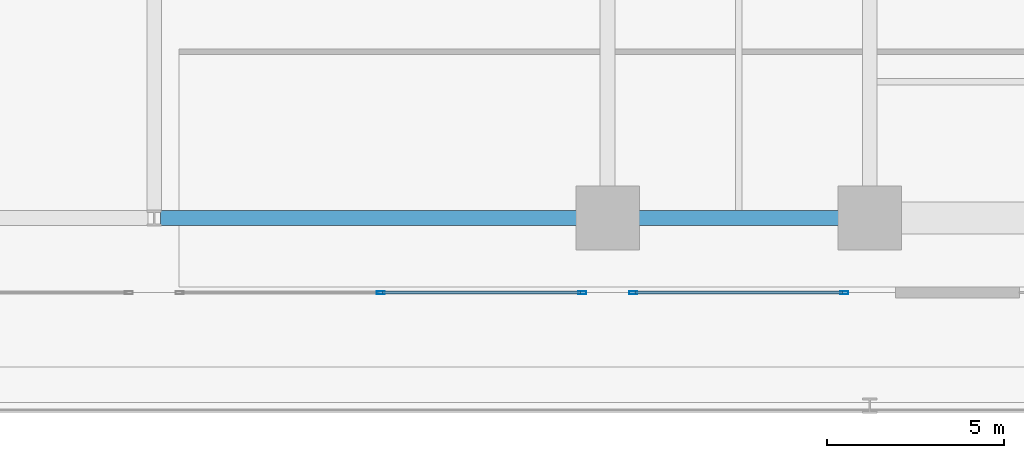
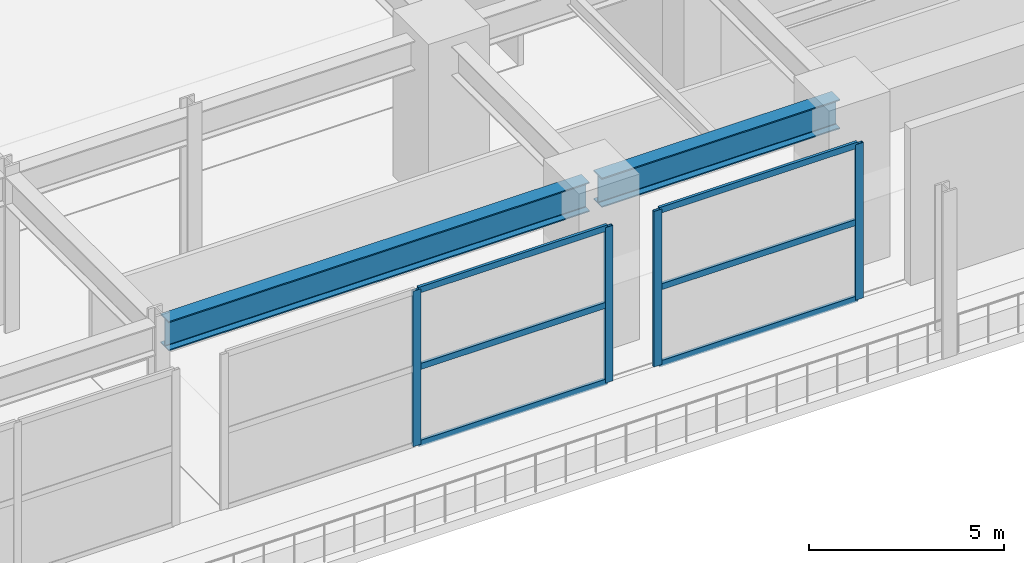
# One storey, part 5 of 35: 10 members, 2 beams, 2 elements without a shape of their own.
"""IFC4 building model written with IfcOpenShell, lengths in metres."""

from ifc_helpers import new_model, si_unit, direction, frame, origin, origin_2d, place, context, subcontext, project, spatial, hollow_rectangle, i_section, extrude, material, material_profile, profile_set, type_object, element, aggregate, save


model = new_model("IFC4")

# Units and contexts
model_context = context("Model", 3, precision=1e-05, world=origin(), true_north=direction((0.0, 1.0)))
body_context = subcontext(model_context, "Body", "Model", "MODEL_VIEW")
ifc_project = project(units=[si_unit("LENGTHUNIT", "METRE"), si_unit("AREAUNIT", "SQUARE_METRE"), si_unit("VOLUMEUNIT", "CUBIC_METRE"), si_unit("PLANEANGLEUNIT", "RADIAN"), si_unit("MASSUNIT", "GRAM", prefix="KILO")], contexts=[model_context])

# Site, building, storey
site_placement = place(None, origin())
site = spatial("IfcSite", under=ifc_project, at=site_placement, CompositionType="ELEMENT")
building_placement = place(site_placement, origin())
building = spatial("IfcBuilding", under=site, at=building_placement, Name="Kovane Verandah Tower", CompositionType="ELEMENT")
storey_placement = place(building_placement, frame((0.0, 0.0, 16.39990234375)))
storey = spatial("IfcBuildingStorey", under=building, at=storey_placement, Name="L03", CompositionType="ELEMENT", Elevation=16.39990234375)

# Beams
ifc_material_1 = material(Name="Steel S460", Category="steel")
ifc_material_profile_1 = material_profile(ifc_material_1, i_section(OverallWidth=0.42041015625, OverallDepth=0.9208984375, WebThickness=0.021484375, FlangeThickness=0.03662109375, FilletRadius=0.024169921875, at=origin_2d()), Name="UB914x419x388")
ifc_profile_set_1 = profile_set([ifc_material_profile_1], Name="Steel S460")
beam_type = type_object("IfcBeamType", Name="BM-UB914x388", PredefinedType="BEAM", material=ifc_profile_set_1)
beam_1_placement = place(storey_placement, frame((21.780029296875, 10.800048828125, 4.439697265625), z_axis=(1.0, 0.0, 0.0), x_axis=(0.0, 1.0, 0.0)))
element("IfcBeam", 1, at=beam_1_placement, inside=storey, type_object=beam_type, Name="L03 Primary Tower Girder G-RS1", PredefinedType="BEAM", context=body_context, shape_type="SweptSolid", body=[
    extrude(i_section(OverallWidth=0.42041015625, OverallDepth=0.9208984375, WebThickness=0.021484375, FlangeThickness=0.03662109375, FilletRadius=0.024169921875, at=origin_2d()), origin(), (0.0, 0.0, 1.0), 7.0400390625),
])
beam_2_placement = place(storey_placement, frame((8.97998046875, 10.800048828125, 4.439697265625), z_axis=(1.0, 0.0, 0.0), x_axis=(0.0, 1.0, 0.0)))
element("IfcBeam", 2, at=beam_2_placement, inside=storey, type_object=beam_type, Name="L03 Podium Garden Transfer Girder X02", PredefinedType="BEAM", context=body_context, shape_type="SweptSolid", body=[
    extrude(i_section(OverallWidth=0.42041015625, OverallDepth=0.9208984375, WebThickness=0.021484375, FlangeThickness=0.03662109375, FilletRadius=0.024169921875, at=origin_2d()), origin(), (0.0, 0.0, 1.0), 12.43994140625),
])

# Curtain wall, members
ifc_material_2 = material(Name="Champagne Anodised Aluminium Frame with Low-E Clear Laminated Glass", Category="aluminium")
curtain_wall_type = type_object("IfcCurtainWallType", Name="CW-SYS-01-POD", PredefinedType="NOTDEFINED", material=ifc_material_2)
curtain_wall_1_placement = place(storey_placement, origin())
curtain_wall_1 = element("IfcCurtainWall", 3, at=curtain_wall_1_placement, inside=storey, type_object=curtain_wall_type, Name="L03 South Podium Curtain Wall Bay 2.1", PredefinedType="NOTDEFINED")
ifc_material_3 = material(Name="Champagne Anodised Aluminium 6063-T6", Category="aluminium")
ifc_material_profile_2 = material_profile(ifc_material_3, hollow_rectangle(XDim=0.0849609375, YDim=0.22998046875, WallThickness=0.00390625, at=origin_2d()), Name="AL85x230x4")
ifc_profile_set_2 = profile_set([ifc_material_profile_2], Name="Champagne Anodised Aluminium 6063-T6")
member_type_1 = type_object("IfcMemberType", Name="CW-MUL-85x230", PredefinedType="MULLION", material=ifc_profile_set_2)
member_1_placement = place(storey_placement, frame((15.199951171875, 8.699951171875, 0.02001953125), z_axis=(0.0, 0.0, 1.0), x_axis=(0.0, -1.0, 0.0)))
member_1 = element("IfcMember", 4, at=member_1_placement, type_object=member_type_1, Name="L03 South Podium Curtain Wall Bay 2.1 Mullion 2", PredefinedType="MULLION", context=body_context, shape_type="SweptSolid", body=[
    extrude(hollow_rectangle(XDim=0.0849609375, YDim=0.22998046875, WallThickness=0.00390625, at=origin_2d()), origin(), (0.0, 0.0, 1.0), 4.860107421875),
])
member_2_placement = place(storey_placement, frame((20.8798828125, 8.699951171875, 0.02001953125), z_axis=(0.0, 0.0, 1.0), x_axis=(0.0, -1.0, 0.0)))
member_2 = element("IfcMember", 5, at=member_2_placement, type_object=member_type_1, Name="L03 South Podium Curtain Wall Bay 2.1 Mullion 3", PredefinedType="MULLION", context=body_context, shape_type="SweptSolid", body=[
    extrude(hollow_rectangle(XDim=0.0849609375, YDim=0.22998046875, WallThickness=0.00390625, at=origin_2d()), origin(), (0.0, 0.0, 1.0), 4.860107421875),
])

curtain_wall_2_placement = place(storey_placement, origin())
curtain_wall_2 = element("IfcCurtainWall", 6, at=curtain_wall_2_placement, inside=storey, type_object=curtain_wall_type, Name="L03 South Podium Curtain Wall Bay 3.1", PredefinedType="NOTDEFINED")
member_3_placement = place(storey_placement, frame((22.320068359375, 8.699951171875, 0.02001953125), z_axis=(0.0, 0.0, 1.0), x_axis=(0.0, -1.0, 0.0)))
member_3 = element("IfcMember", 7, at=member_3_placement, type_object=member_type_1, Name="L03 South Podium Curtain Wall Bay 3.1 Mullion 1", PredefinedType="MULLION", context=body_context, shape_type="SweptSolid", body=[
    extrude(hollow_rectangle(XDim=0.0849609375, YDim=0.22998046875, WallThickness=0.00390625, at=origin_2d()), origin(), (0.0, 0.0, 1.0), 4.860107421875),
])
member_4_placement = place(storey_placement, frame((28.280029296875, 8.699951171875, 0.02001953125), z_axis=(0.0, 0.0, 1.0), x_axis=(0.0, -1.0, 0.0)))
member_4 = element("IfcMember", 8, at=member_4_placement, type_object=member_type_1, Name="L03 South Podium Curtain Wall Bay 3.1 Mullion 2", PredefinedType="MULLION", context=body_context, shape_type="SweptSolid", body=[
    extrude(hollow_rectangle(XDim=0.0849609375, YDim=0.22998046875, WallThickness=0.00390625, at=origin_2d()), origin(), (0.0, 0.0, 1.0), 4.860107421875),
])

# Member
ifc_material_profile_3 = material_profile(ifc_material_3, hollow_rectangle(XDim=0.0849609375, YDim=0.18994140625, WallThickness=0.00390625, at=origin_2d()), Name="AL85x190x4")
ifc_profile_set_3 = profile_set([ifc_material_profile_3], Name="Champagne Anodised Aluminium 6063-T6")
member_type_2 = type_object("IfcMemberType", Name="CW-TRN-85x190", PredefinedType="USERDEFINED", material=ifc_profile_set_3)
member_5_placement = place(storey_placement, frame((15.25, 8.699951171875, 0.050048828125), z_axis=(1.0, 0.0, 0.0), x_axis=(0.0, 1.0, 0.0)))
member_5 = element("IfcMember", 9, at=member_5_placement, type_object=member_type_2, Name="L03 South Podium Curtain Wall Bay 2.1 Transom TB Bay 2", ObjectType="TRANSOM", PredefinedType="USERDEFINED", context=body_context, shape_type="SweptSolid", body=[
    extrude(hollow_rectangle(XDim=0.0849609375, YDim=0.18994140625, WallThickness=0.00390625, at=origin_2d()), origin(), (0.0, 0.0, 1.0), 5.580078125),
])

member_6_placement = place(storey_placement, frame((15.25, 8.699951171875, 2.4501953125), z_axis=(1.0, 0.0, 0.0), x_axis=(0.0, 1.0, 0.0)))
member_6 = element("IfcMember", 10, at=member_6_placement, type_object=member_type_2, Name="L03 South Podium Curtain Wall Bay 2.1 Transom TM Bay 2", ObjectType="TRANSOM", PredefinedType="USERDEFINED", context=body_context, shape_type="SweptSolid", body=[
    extrude(hollow_rectangle(XDim=0.0849609375, YDim=0.18994140625, WallThickness=0.00390625, at=origin_2d()), origin(), (0.0, 0.0, 1.0), 5.580078125),
])

member_7_placement = place(storey_placement, frame((15.25, 8.699951171875, 4.85009765625), z_axis=(1.0, 0.0, 0.0), x_axis=(0.0, 1.0, 0.0)))
member_7 = element("IfcMember", 11, at=member_7_placement, type_object=member_type_2, Name="L03 South Podium Curtain Wall Bay 2.1 Transom TT Bay 2", ObjectType="TRANSOM", PredefinedType="USERDEFINED", context=body_context, shape_type="SweptSolid", body=[
    extrude(hollow_rectangle(XDim=0.0849609375, YDim=0.18994140625, WallThickness=0.00390625, at=origin_2d()), origin(), (0.0, 0.0, 1.0), 5.580078125),
])

aggregate(curtain_wall_1, [member_1, member_2, member_5, member_6, member_7])

member_8_placement = place(storey_placement, frame((22.3701171875, 8.699951171875, 0.050048828125), z_axis=(1.0, 0.0, 0.0), x_axis=(0.0, 1.0, 0.0)))
member_8 = element("IfcMember", 12, at=member_8_placement, type_object=member_type_2, Name="L03 South Podium Curtain Wall Bay 3.1 Transom TB Bay 1", ObjectType="TRANSOM", PredefinedType="USERDEFINED", context=body_context, shape_type="SweptSolid", body=[
    extrude(hollow_rectangle(XDim=0.0849609375, YDim=0.18994140625, WallThickness=0.00390625, at=origin_2d()), origin(), (0.0, 0.0, 1.0), 5.85986328125),
])

member_9_placement = place(storey_placement, frame((22.3701171875, 8.699951171875, 2.4501953125), z_axis=(1.0, 0.0, 0.0), x_axis=(0.0, 1.0, 0.0)))
member_9 = element("IfcMember", 13, at=member_9_placement, type_object=member_type_2, Name="L03 South Podium Curtain Wall Bay 3.1 Transom TM Bay 1", ObjectType="TRANSOM", PredefinedType="USERDEFINED", context=body_context, shape_type="SweptSolid", body=[
    extrude(hollow_rectangle(XDim=0.0849609375, YDim=0.18994140625, WallThickness=0.00390625, at=origin_2d()), origin(), (0.0, 0.0, 1.0), 5.85986328125),
])

member_10_placement = place(storey_placement, frame((22.3701171875, 8.699951171875, 4.85009765625), z_axis=(1.0, 0.0, 0.0), x_axis=(0.0, 1.0, 0.0)))
member_10 = element("IfcMember", 14, at=member_10_placement, type_object=member_type_2, Name="L03 South Podium Curtain Wall Bay 3.1 Transom TT Bay 1", ObjectType="TRANSOM", PredefinedType="USERDEFINED", context=body_context, shape_type="SweptSolid", body=[
    extrude(hollow_rectangle(XDim=0.0849609375, YDim=0.18994140625, WallThickness=0.00390625, at=origin_2d()), origin(), (0.0, 0.0, 1.0), 5.85986328125),
])

aggregate(curtain_wall_2, [member_3, member_4, member_8, member_9, member_10])

save(model, "model.ifc")
